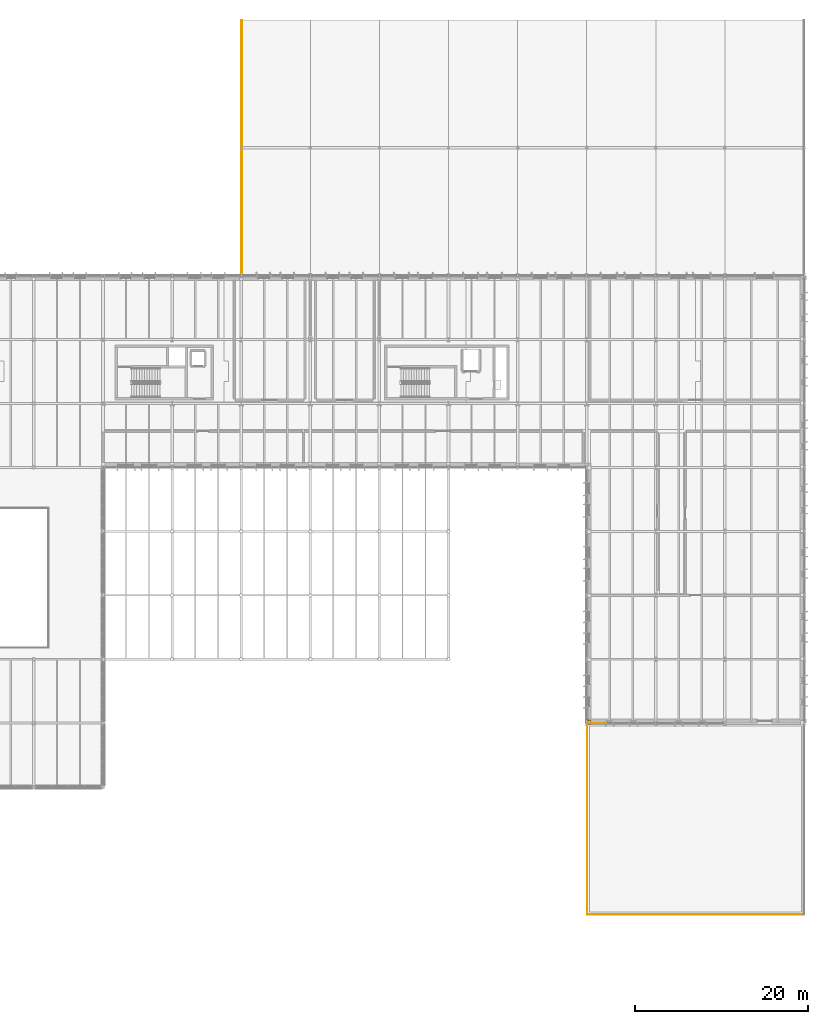
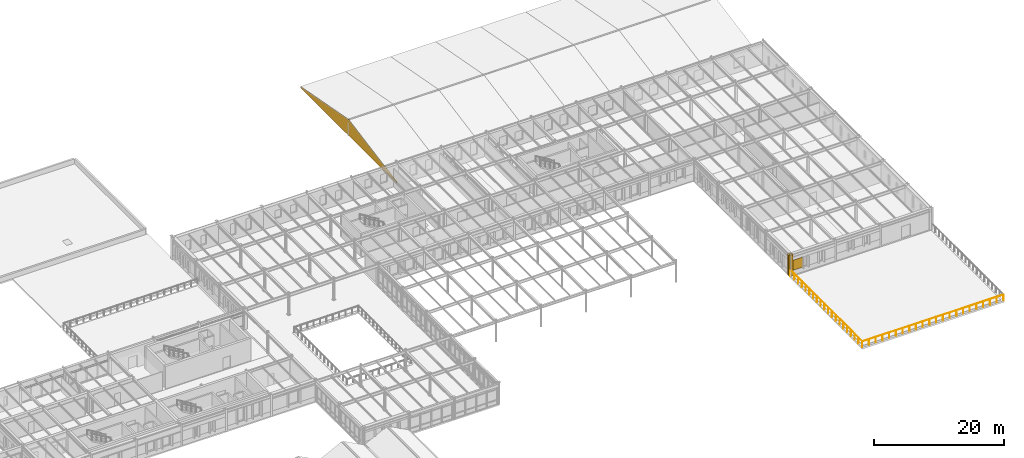
# One storey, part 60 of 63: 4 coverings, 2 railings.
"""IFC4 building model written with IfcOpenShell, lengths in metres."""

from ifc_helpers import new_model, si_unit, direction, frame, frame_2d, origin, origin_2d, place, context, subcontext, project, spatial, polyline, rectangle, circle, outline, extrude, material, layer, layer_set, type_object, element, save


model = new_model("IFC4")

# Units and contexts
model_context = context("Model", 3, precision=1e-05, world=origin(), true_north=direction((0.0, 1.0)))
body_context = subcontext(model_context, "Body", "Model", "MODEL_VIEW")
ifc_project = project(units=[si_unit("LENGTHUNIT", "METRE"), si_unit("AREAUNIT", "SQUARE_METRE"), si_unit("VOLUMEUNIT", "CUBIC_METRE"), si_unit("PLANEANGLEUNIT", "RADIAN"), si_unit("MASSUNIT", "GRAM", prefix="KILO")], contexts=[model_context])

# Site, building, storey
site_placement = place(None, origin())
site = spatial("IfcSite", under=ifc_project, at=site_placement, CompositionType="ELEMENT")
building_placement = place(site_placement, origin())
building = spatial("IfcBuilding", under=site, at=building_placement, Name="Valkorina Park Police Headquarters", CompositionType="ELEMENT")
storey_placement = place(building_placement, frame((0.0, 0.0, 9.89990234375)))
storey = spatial("IfcBuildingStorey", under=building, at=storey_placement, Name="L03", CompositionType="ELEMENT", Elevation=9.89990234375)

# Coverings
ifc_material_1 = material(Name="Precast concrete C40/50", Category="concrete")
ifc_layer = layer(ifc_material_1, 0.044921875)
ifc_layer_set = layer_set([ifc_layer], Name="Precast concrete C40/50")
covering_type = type_object("IfcCoveringType", Name="COV-CLAD-DOLOMITE", PredefinedType="CLADDING", material=ifc_layer_set)
covering_1_placement = place(storey_placement, frame((96.860107421875, 81.43994140625, -0.0498046875), z_axis=(0.0, 0.0, 1.0), x_axis=(0.0, 1.0, 0.0)))
element("IfcCovering", 1, at=covering_1_placement, inside=storey, type_object=covering_type, Name="V3 Gymnasium Gable Closure W", PredefinedType="CLADDING", context=body_context, shape_type="SweptSolid", body=[
    extrude(outline(polyline([(0.0, 0.0), (29.52001953125, 0.0), (29.52001953125, 0.2998046875), (14.760009765625, 3.0498046875), (0.0, 0.2998046875), (0.0, 0.0)])), frame((0.0, 0.0400390625, 0.0), z_axis=(0.0, -1.0, 0.0), x_axis=(1.0, 0.0, 0.0)), (0.0, 0.0, 1.0), 0.080078125),
])
covering_2_placement = place(storey_placement, frame((136.7900390625, 29.85009765625, 0.000244140625), z_axis=(0.0, 0.0, 1.0), x_axis=(1.0, 0.0, 0.0)))
element("IfcCovering", 2, at=covering_2_placement, inside=storey, type_object=covering_type, Name="L03 Exterior Joint Closure Pilaster B 1991", PredefinedType="CLADDING", context=body_context, shape_type="SweptSolid", body=[
    extrude(rectangle(XDim=0.419921875, YDim=0.449951171875, at=origin_2d()), origin(), (0.0, 0.0, 1.0), 3.919921875),
])
covering_3_placement = place(storey_placement, frame((139.067626953125, 29.5849609375, 0.8701171875), z_axis=(0.0, 0.0, 1.0), x_axis=(-1.0, 0.0, 0.0)))
element("IfcCovering", 3, at=covering_3_placement, inside=storey, type_object=covering_type, Name="L03 Calm Concrete Base Slot Pier 2000", PredefinedType="CLADDING", context=body_context, shape_type="SweptSolid", body=[
    extrude(rectangle(XDim=2.24755859375, YDim=0.044921875, at=frame_2d((1.123779296875, 0.0))), origin(), (0.0, 0.0, 1.0), 1.909912109375),
])
covering_4_placement = place(storey_placement, frame((137.050048828125, 29.6650390625, 0.000244140625), z_axis=(0.0, 0.0, 1.0), x_axis=(0.0, 1.0, 0.0)))
element("IfcCovering", 4, at=covering_4_placement, inside=storey, type_object=covering_type, Name="L03 Exterior Joint Closure Pilaster A 2001", PredefinedType="CLADDING", context=body_context, shape_type="SweptSolid", body=[
    extrude(rectangle(XDim=0.419921875, YDim=0.449951171875, at=origin_2d()), origin(), (0.0, 0.0, 1.0), 3.919921875),
])

# Railings
ifc_material_2 = material(Name="Stainless steel EN 1.4404", Category="steel")
railing_type = type_object("IfcRailingType", Name="RL-GUARD-EXT-1100", PredefinedType="BALUSTRADE", material=ifc_material_2)
railing_1_placement = place(storey_placement, frame((136.860107421875, 7.4599609375, 0.0)))
element("IfcRailing", 5, at=railing_1_placement, inside=storey, type_object=railing_type, Name="TERR-L03-SE Perimeter Balustrade Guard 3", PredefinedType="BALUSTRADE", context=body_context, shape_type="SweptSolid", body=[
    extrude(circle(Radius=0.02392578125, at=origin_2d()), frame((0.0, 0.0, 1.09619140625), z_axis=(1.0, 0.0, 0.0), x_axis=(0.0, 1.0, 0.0)), (0.0, 0.0, 1.0), 25.079833984375),
    extrude(circle(Radius=0.02099609375, at=origin_2d()), origin(), (0.0, 0.0, 1.0), 1.072021484375),
    extrude(circle(Radius=0.02099609375, at=origin_2d()), frame((1.1943359375, 0.0, 0.0)), (0.0, 0.0, 1.0), 1.072021484375),
    extrude(circle(Radius=0.02099609375, at=origin_2d()), frame((2.388671875, 0.0, 0.0)), (0.0, 0.0, 1.0), 1.072021484375),
    extrude(circle(Radius=0.02099609375, at=origin_2d()), frame((3.582763671875, 0.0, 0.0)), (0.0, 0.0, 1.0), 1.072021484375),
    extrude(circle(Radius=0.02099609375, at=origin_2d()), frame((4.777099609375, 0.0, 0.0)), (0.0, 0.0, 1.0), 1.072021484375),
    extrude(circle(Radius=0.02099609375, at=origin_2d()), frame((5.971435546875, 0.0, 0.0)), (0.0, 0.0, 1.0), 1.072021484375),
    extrude(circle(Radius=0.02099609375, at=origin_2d()), frame((7.165771484375, 0.0, 0.0)), (0.0, 0.0, 1.0), 1.072021484375),
    extrude(circle(Radius=0.02099609375, at=origin_2d()), frame((8.35986328125, 0.0, 0.0)), (0.0, 0.0, 1.0), 1.072021484375),
    extrude(circle(Radius=0.02099609375, at=origin_2d()), frame((9.55419921875, 0.0, 0.0)), (0.0, 0.0, 1.0), 1.072021484375),
    extrude(circle(Radius=0.02099609375, at=origin_2d()), frame((10.74853515625, 0.0, 0.0)), (0.0, 0.0, 1.0), 1.072021484375),
    extrude(circle(Radius=0.02099609375, at=origin_2d()), frame((11.94287109375, 0.0, 0.0)), (0.0, 0.0, 1.0), 1.072021484375),
    extrude(circle(Radius=0.02099609375, at=origin_2d()), frame((13.136962890625, 0.0, 0.0)), (0.0, 0.0, 1.0), 1.072021484375),
    extrude(circle(Radius=0.02099609375, at=origin_2d()), frame((14.331298828125, 0.0, 0.0)), (0.0, 0.0, 1.0), 1.072021484375),
    extrude(circle(Radius=0.02099609375, at=origin_2d()), frame((15.525634765625, 0.0, 0.0)), (0.0, 0.0, 1.0), 1.072021484375),
    extrude(circle(Radius=0.02099609375, at=origin_2d()), frame((16.719970703125, 0.0, 0.0)), (0.0, 0.0, 1.0), 1.072021484375),
    extrude(circle(Radius=0.02099609375, at=origin_2d()), frame((17.9140625, 0.0, 0.0)), (0.0, 0.0, 1.0), 1.072021484375),
    extrude(circle(Radius=0.02099609375, at=origin_2d()), frame((19.1083984375, 0.0, 0.0)), (0.0, 0.0, 1.0), 1.072021484375),
    extrude(circle(Radius=0.02099609375, at=origin_2d()), frame((20.302734375, 0.0, 0.0)), (0.0, 0.0, 1.0), 1.072021484375),
    extrude(circle(Radius=0.02099609375, at=origin_2d()), frame((21.4970703125, 0.0, 0.0)), (0.0, 0.0, 1.0), 1.072021484375),
    extrude(circle(Radius=0.02099609375, at=origin_2d()), frame((22.691162109375, 0.0, 0.0)), (0.0, 0.0, 1.0), 1.072021484375),
    extrude(circle(Radius=0.02099609375, at=origin_2d()), frame((23.885498046875, 0.0, 0.0)), (0.0, 0.0, 1.0), 1.072021484375),
    extrude(circle(Radius=0.02099609375, at=origin_2d()), frame((25.079833984375, 0.0, 0.0)), (0.0, 0.0, 1.0), 1.072021484375),
])
railing_2_placement = place(storey_placement, frame((136.860107421875, 29.5400390625, 0.0)))
element("IfcRailing", 6, at=railing_2_placement, inside=storey, type_object=railing_type, Name="TERR-L03-SE Perimeter Balustrade Guard 5", PredefinedType="BALUSTRADE", context=body_context, shape_type="SweptSolid", body=[
    extrude(circle(Radius=0.02392578125, at=origin_2d()), frame((0.0, 0.0, 1.09619140625), z_axis=(0.0, -1.0, 0.0), x_axis=(1.0, 0.0, 0.0)), (0.0, 0.0, 1.0), 22.080078125),
    extrude(circle(Radius=0.02099609375, at=origin_2d()), origin(), (0.0, 0.0, 1.0), 1.072021484375),
    extrude(circle(Radius=0.02099609375, at=origin_2d()), frame((0.0, -1.162109375, 0.0)), (0.0, 0.0, 1.0), 1.072021484375),
    extrude(circle(Radius=0.02099609375, at=origin_2d()), frame((0.0, -2.32421875, 0.0)), (0.0, 0.0, 1.0), 1.072021484375),
    extrude(circle(Radius=0.02099609375, at=origin_2d()), frame((0.0, -3.486328125, 0.0)), (0.0, 0.0, 1.0), 1.072021484375),
    extrude(circle(Radius=0.02099609375, at=origin_2d()), frame((0.0, -4.6484375, 0.0)), (0.0, 0.0, 1.0), 1.072021484375),
    extrude(circle(Radius=0.02099609375, at=origin_2d()), frame((0.0, -5.810546875, 0.0)), (0.0, 0.0, 1.0), 1.072021484375),
    extrude(circle(Radius=0.02099609375, at=origin_2d()), frame((0.0, -6.97265625, 0.0)), (0.0, 0.0, 1.0), 1.072021484375),
    extrude(circle(Radius=0.02099609375, at=origin_2d()), frame((0.0, -8.134765625, 0.0)), (0.0, 0.0, 1.0), 1.072021484375),
    extrude(circle(Radius=0.02099609375, at=origin_2d()), frame((0.0, -9.296875, 0.0)), (0.0, 0.0, 1.0), 1.072021484375),
    extrude(circle(Radius=0.02099609375, at=origin_2d()), frame((0.0, -10.458984375, 0.0)), (0.0, 0.0, 1.0), 1.072021484375),
    extrude(circle(Radius=0.02099609375, at=origin_2d()), frame((0.0, -11.62109375, 0.0)), (0.0, 0.0, 1.0), 1.072021484375),
    extrude(circle(Radius=0.02099609375, at=origin_2d()), frame((0.0, -12.783203125, 0.0)), (0.0, 0.0, 1.0), 1.072021484375),
    extrude(circle(Radius=0.02099609375, at=origin_2d()), frame((0.0, -13.9453125, 0.0)), (0.0, 0.0, 1.0), 1.072021484375),
    extrude(circle(Radius=0.02099609375, at=origin_2d()), frame((0.0, -15.107421875, 0.0)), (0.0, 0.0, 1.0), 1.072021484375),
    extrude(circle(Radius=0.02099609375, at=origin_2d()), frame((0.0, -16.26953125, 0.0)), (0.0, 0.0, 1.0), 1.072021484375),
    extrude(circle(Radius=0.02099609375, at=origin_2d()), frame((0.0, -17.431640625, 0.0)), (0.0, 0.0, 1.0), 1.072021484375),
    extrude(circle(Radius=0.02099609375, at=origin_2d()), frame((0.0, -18.59375, 0.0)), (0.0, 0.0, 1.0), 1.072021484375),
    extrude(circle(Radius=0.02099609375, at=origin_2d()), frame((0.0, -19.755859375, 0.0)), (0.0, 0.0, 1.0), 1.072021484375),
    extrude(circle(Radius=0.02099609375, at=origin_2d()), frame((0.0, -20.91796875, 0.0)), (0.0, 0.0, 1.0), 1.072021484375),
    extrude(circle(Radius=0.02099609375, at=origin_2d()), frame((0.0, -22.080078125, 0.0)), (0.0, 0.0, 1.0), 1.072021484375),
])

save(model, "model.ifc")
